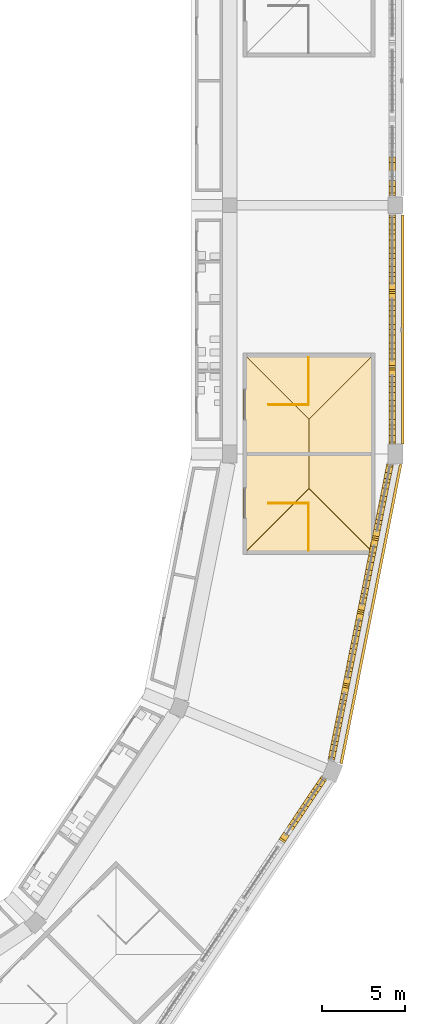
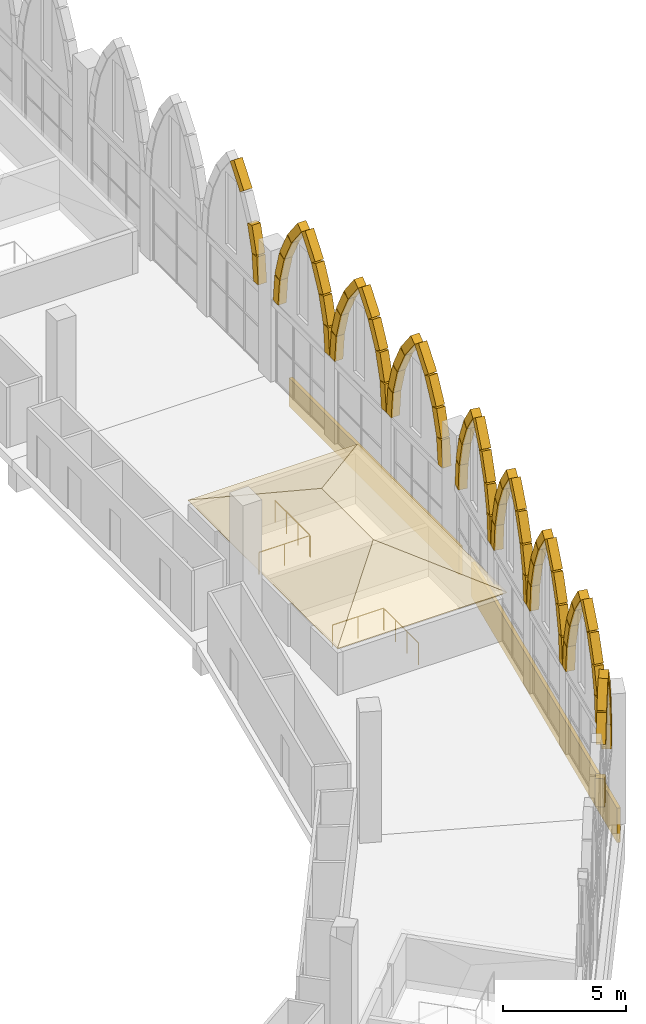
# One storey, part 112 of 130: 72 coverings, 4 railings.
"""IFC4 building model written with IfcOpenShell, lengths in metres."""

from ifc_helpers import new_model, si_unit, direction, frame, origin, origin_2d, place, context, subcontext, project, spatial, polyline, rectangle, circle, outline, extrude, material, layer, layer_set, material_profile, profile_set, type_object, element, save


model = new_model("IFC4")

# Units and contexts
model_context = context("Model", 3, precision=1e-05, world=origin(), true_north=direction((0.0, 1.0)))
body_context = subcontext(model_context, "Body", "Model", "MODEL_VIEW")
ifc_project = project(units=[si_unit("LENGTHUNIT", "METRE"), si_unit("AREAUNIT", "SQUARE_METRE"), si_unit("VOLUMEUNIT", "CUBIC_METRE"), si_unit("PLANEANGLEUNIT", "RADIAN"), si_unit("MASSUNIT", "GRAM", prefix="KILO")], contexts=[model_context])

# Site, building, storey
site_placement = place(None, origin())
site = spatial("IfcSite", under=ifc_project, at=site_placement, CompositionType="ELEMENT")
building_placement = place(site_placement, origin())
building = spatial("IfcBuilding", under=site, at=building_placement, Name="Ogive Plaza Stadium", CompositionType="ELEMENT")
storey_placement = place(building_placement, frame((0.0, 0.0, 22.5)))
storey = spatial("IfcBuildingStorey", under=building, at=storey_placement, Name="L05", CompositionType="ELEMENT", Elevation=22.5)

# Railings
ifc_material_1 = material(Name="Steel ASTM A572 Grade 50", Category="steel")
railing_type = type_object("IfcRailingType", Name="Guard 1100", PredefinedType="GUARDRAIL", material=ifc_material_1)
railing_1_placement = place(storey_placement, frame((76.35009765625, -55.47509765625, 0.0)))
element("IfcRailing", 1, at=railing_1_placement, inside=storey, type_object=railing_type, Name="Stair well guard ST08A L05", PredefinedType="GUARDRAIL", context=body_context, shape_type="SweptSolid", body=[
    extrude(circle(Radius=0.02392578125, at=origin_2d()), frame((0.0, 0.0, 1.076171875), z_axis=(1.0, 0.0, 0.0), x_axis=(0.0, 1.0, 0.0)), (0.0, 0.0, 1.0), 2.39990234375),
    extrude(circle(Radius=0.02099609375, at=origin_2d()), origin(), (0.0, 0.0, 1.0), 1.052001953125),
    extrude(circle(Radius=0.02099609375, at=origin_2d()), frame((1.199951171875, 0.0, 0.0)), (0.0, 0.0, 1.0), 1.052001953125),
    extrude(circle(Radius=0.02099609375, at=origin_2d()), frame((2.39990234375, 0.0, 0.0)), (0.0, 0.0, 1.0), 1.052001953125),
])
railing_2_placement = place(storey_placement, frame((78.75, -58.324951171875, 0.0)))
element("IfcRailing", 2, at=railing_2_placement, inside=storey, type_object=railing_type, Name="Stair guard ST08A L05", PredefinedType="GUARDRAIL", context=body_context, shape_type="SweptSolid", body=[
    extrude(circle(Radius=0.02392578125, at=origin_2d()), frame((0.0, 0.0, 1.076171875), z_axis=(0.0, 1.0, 0.0), x_axis=(-1.0, 0.0, 0.0)), (0.0, 0.0, 1.0), 2.800048828125),
    extrude(circle(Radius=0.02099609375, at=origin_2d()), origin(), (0.0, 0.0, 1.0), 1.052001953125),
    extrude(circle(Radius=0.02099609375, at=origin_2d()), frame((0.0, 0.933349609375, 0.0)), (0.0, 0.0, 1.0), 1.052001953125),
    extrude(circle(Radius=0.02099609375, at=origin_2d()), frame((0.0, 1.86669921875, 0.0)), (0.0, 0.0, 1.0), 1.052001953125),
    extrude(circle(Radius=0.02099609375, at=origin_2d()), frame((0.0, 2.800048828125, 0.0)), (0.0, 0.0, 1.0), 1.052001953125),
])
railing_3_placement = place(storey_placement, frame((76.35009765625, -49.52490234375, 0.0)))
element("IfcRailing", 3, at=railing_3_placement, inside=storey, type_object=railing_type, Name="Stair well guard ST08B L05", PredefinedType="GUARDRAIL", context=body_context, shape_type="SweptSolid", body=[
    extrude(circle(Radius=0.02392578125, at=origin_2d()), frame((0.0, 0.0, 1.076171875), z_axis=(1.0, 0.0, 0.0), x_axis=(0.0, 1.0, 0.0)), (0.0, 0.0, 1.0), 2.39990234375),
    extrude(circle(Radius=0.02099609375, at=origin_2d()), origin(), (0.0, 0.0, 1.0), 1.052001953125),
    extrude(circle(Radius=0.02099609375, at=origin_2d()), frame((1.199951171875, 0.0, 0.0)), (0.0, 0.0, 1.0), 1.052001953125),
    extrude(circle(Radius=0.02099609375, at=origin_2d()), frame((2.39990234375, 0.0, 0.0)), (0.0, 0.0, 1.0), 1.052001953125),
])
railing_4_placement = place(storey_placement, frame((78.75, -49.47509765625, 0.0)))
element("IfcRailing", 4, at=railing_4_placement, inside=storey, type_object=railing_type, Name="Stair guard ST08B L05", PredefinedType="GUARDRAIL", context=body_context, shape_type="SweptSolid", body=[
    extrude(circle(Radius=0.02392578125, at=origin_2d()), frame((0.0, 0.0, 1.076171875), z_axis=(0.0, 1.0, 0.0), x_axis=(-1.0, 0.0, 0.0)), (0.0, 0.0, 1.0), 2.800048828125),
    extrude(circle(Radius=0.02099609375, at=origin_2d()), origin(), (0.0, 0.0, 1.0), 1.052001953125),
    extrude(circle(Radius=0.02099609375, at=origin_2d()), frame((0.0, 0.933349609375, 0.0)), (0.0, 0.0, 1.0), 1.052001953125),
    extrude(circle(Radius=0.02099609375, at=origin_2d()), frame((0.0, 1.86669921875, 0.0)), (0.0, 0.0, 1.0), 1.052001953125),
    extrude(circle(Radius=0.02099609375, at=origin_2d()), frame((0.0, 2.800048828125, 0.0)), (0.0, 0.0, 1.0), 1.052001953125),
])

# Coverings
ifc_material_2 = material(Name="Cast stone (reconstituted limestone)", Category="masonry")
ifc_material_profile = material_profile(ifc_material_2, rectangle(XDim=0.39990234375, YDim=0.39990234375, at=origin_2d()), Name="Cast stone 400x400")
ifc_profile_set = profile_set([ifc_material_profile], Name="Cast stone (reconstituted limestone)")
covering_type_1 = type_object("IfcCoveringType", Name="Precast arch rib 400x400", PredefinedType="MOLDING", material=ifc_profile_set)
covering_1_placement = place(storey_placement, frame((83.800048828125, -34.758056640625, 9.0224609375), z_axis=(0.0, -0.612799939872, -0.790238086713), x_axis=(1.0, 0.0, 0.0)))
element("IfcCovering", 5, at=covering_1_placement, inside=storey, type_object=covering_type_1, Name="ARCH RIB B06 3.5", PredefinedType="MOLDING", context=body_context, shape_type="SweptSolid", body=[
    extrude(rectangle(XDim=0.39990234375, YDim=0.39990234375, at=origin_2d()), origin(), (0.0, 0.0, 1.0), 1.319580078125),
])
covering_2_placement = place(storey_placement, frame((83.800048828125, -36.19970703125, 6.737060546875), z_axis=(0.0, -0.2789697965, -0.960299876414), x_axis=(1.0, 0.0, 0.0)))
element("IfcCovering", 6, at=covering_2_placement, inside=storey, type_object=covering_type_1, Name="ARCH RIB B06 3.7", PredefinedType="MOLDING", context=body_context, shape_type="SweptSolid", body=[
    extrude(rectangle(XDim=0.39990234375, YDim=0.39990234375, at=origin_2d()), origin(), (0.0, 0.0, 1.0), 1.31982421875),
])
for number, where, z_axis, x_axis, name in (
    (7, (83.800048828125, -36.574951171875, 5.4326171875), (0.0, -0.094171713154, -0.995555969517), (1.0, 0.0, 0.0), "ARCH RIB B06 3.8"),
    (8, (83.800048828125, -38.30078125, 4.118896484375), (0.0, -0.094171713154, 0.995555969517), (1.0, 0.0, 0.0), "ARCH RIB B07 1.1"),
):
    element("IfcCovering", number, at=place(storey_placement, frame(where, z_axis=z_axis, x_axis=x_axis)), inside=storey, type_object=covering_type_1, Name=name, PredefinedType="MOLDING", context=body_context, shape_type="SweptSolid", body=[
        extrude(rectangle(XDim=0.39990234375, YDim=0.39990234375, at=origin_2d()), origin(), (0.0, 0.0, 1.0), 1.319580078125),
    ])
for number, where, z_axis, x_axis, name in (
    (9, (83.800048828125, -38.43212890625, 5.4697265625), (0.0, -0.2789697965, 0.960299876414), (1.0, 0.0, 0.0), "ARCH RIB B07 1.2"),
    (10, (83.800048828125, -38.81396484375, 6.77197265625), (0.0, -0.453934094395, 0.891035261898), (1.0, 0.0, 0.0), "ARCH RIB B07 1.3"),
):
    element("IfcCovering", number, at=place(storey_placement, frame(where, z_axis=z_axis, x_axis=x_axis)), inside=storey, type_object=covering_type_1, Name=name, PredefinedType="MOLDING", context=body_context, shape_type="SweptSolid", body=[
        extrude(rectangle(XDim=0.39990234375, YDim=0.39990234375, at=origin_2d()), origin(), (0.0, 0.0, 1.0), 1.31982421875),
    ])
for number, where, z_axis, x_axis, name in (
    (11, (83.800048828125, -39.433349609375, 7.979736328125), (0.0, -0.612799939872, 0.790238086713), (1.0, 0.0, 0.0), "ARCH RIB B07 1.4"),
    (12, (83.800048828125, -40.55810546875, 9.0224609375), (0.0, -0.612799939872, -0.790238086713), (1.0, 0.0, 0.0), "ARCH RIB B07 1.5"),
):
    element("IfcCovering", number, at=place(storey_placement, frame(where, z_axis=z_axis, x_axis=x_axis)), inside=storey, type_object=covering_type_1, Name=name, PredefinedType="MOLDING", context=body_context, shape_type="SweptSolid", body=[
        extrude(rectangle(XDim=0.39990234375, YDim=0.39990234375, at=origin_2d()), origin(), (0.0, 0.0, 1.0), 1.319580078125),
    ])
for number, where, z_axis, x_axis, name in (
    (13, (83.800048828125, -41.386962890625, 7.947998046875), (0.0, -0.453787214374, -0.891110074048), (1.0, 0.0, 0.0), "ARCH RIB B07 1.6"),
    (14, (83.800048828125, -41.999755859375, 6.737060546875), (0.0, -0.2789697965, -0.960299876414), (1.0, 0.0, 0.0), "ARCH RIB B07 1.7"),
):
    element("IfcCovering", number, at=place(storey_placement, frame(where, z_axis=z_axis, x_axis=x_axis)), inside=storey, type_object=covering_type_1, Name=name, PredefinedType="MOLDING", context=body_context, shape_type="SweptSolid", body=[
        extrude(rectangle(XDim=0.39990234375, YDim=0.39990234375, at=origin_2d()), origin(), (0.0, 0.0, 1.0), 1.31982421875),
    ])
for number, where, z_axis, x_axis, name in (
    (15, (83.800048828125, -42.375, 5.4326171875), (0.0, -0.093988335931, -0.995573298511), (1.0, 0.0, 0.0), "ARCH RIB B07 1.8"),
    (16, (83.800048828125, -42.90087890625, 4.118896484375), (0.0, -0.094171713154, 0.995555969517), (1.0, 0.0, 0.0), "ARCH RIB B07 2.1"),
    (17, (83.800048828125, -43.0322265625, 5.4697265625), (0.0, -0.278799187003, 0.960349422516), (1.0, 0.0, 0.0), "ARCH RIB B07 2.2"),
):
    element("IfcCovering", number, at=place(storey_placement, frame(where, z_axis=z_axis, x_axis=x_axis)), inside=storey, type_object=covering_type_1, Name=name, PredefinedType="MOLDING", context=body_context, shape_type="SweptSolid", body=[
        extrude(rectangle(XDim=0.39990234375, YDim=0.39990234375, at=origin_2d()), origin(), (0.0, 0.0, 1.0), 1.319580078125),
    ])
covering_3_placement = place(storey_placement, frame((83.800048828125, -43.4140625, 6.77197265625), z_axis=(0.0, -0.453934094395, 0.891035261898), x_axis=(1.0, 0.0, 0.0)))
element("IfcCovering", 18, at=covering_3_placement, inside=storey, type_object=covering_type_1, Name="ARCH RIB B07 2.3", PredefinedType="MOLDING", context=body_context, shape_type="SweptSolid", body=[
    extrude(rectangle(XDim=0.39990234375, YDim=0.39990234375, at=origin_2d()), origin(), (0.0, 0.0, 1.0), 1.31982421875),
])
for number, where, z_axis, x_axis, name in (
    (19, (83.800048828125, -44.033203125, 7.979736328125), (0.0, -0.612915463399, 0.790148489036), (1.0, 0.0, 0.0), "ARCH RIB B07 2.4"),
    (20, (83.800048828125, -45.157958984375, 9.0224609375), (0.0, -0.612915463399, -0.790148489036), (1.0, 0.0, 0.0), "ARCH RIB B07 2.5"),
):
    element("IfcCovering", number, at=place(storey_placement, frame(where, z_axis=z_axis, x_axis=x_axis)), inside=storey, type_object=covering_type_1, Name=name, PredefinedType="MOLDING", context=body_context, shape_type="SweptSolid", body=[
        extrude(rectangle(XDim=0.39990234375, YDim=0.39990234375, at=origin_2d()), origin(), (0.0, 0.0, 1.0), 1.319580078125),
    ])
covering_4_placement = place(storey_placement, frame((83.800048828125, -45.98681640625, 7.947998046875), z_axis=(0.0, -0.453934094395, -0.891035261898), x_axis=(1.0, 0.0, 0.0)))
element("IfcCovering", 21, at=covering_4_placement, inside=storey, type_object=covering_type_1, Name="ARCH RIB B07 2.6", PredefinedType="MOLDING", context=body_context, shape_type="SweptSolid", body=[
    extrude(rectangle(XDim=0.39990234375, YDim=0.39990234375, at=origin_2d()), origin(), (0.0, 0.0, 1.0), 1.31982421875),
])
for number, where, z_axis, x_axis, name in (
    (22, (83.800048828125, -46.599853515625, 6.737060546875), (0.0, -0.278799187003, -0.960349422516), (1.0, 0.0, 0.0), "ARCH RIB B07 2.7"),
    (23, (83.800048828125, -46.974853515625, 5.4326171875), (0.0, -0.094171713154, -0.995555969517), (1.0, 0.0, 0.0), "ARCH RIB B07 2.8"),
    (24, (83.800048828125, -47.5009765625, 4.118896484375), (0.0, -0.093988335931, 0.995573298511), (1.0, 0.0, 0.0), "ARCH RIB B07 3.1"),
):
    element("IfcCovering", number, at=place(storey_placement, frame(where, z_axis=z_axis, x_axis=x_axis)), inside=storey, type_object=covering_type_1, Name=name, PredefinedType="MOLDING", context=body_context, shape_type="SweptSolid", body=[
        extrude(rectangle(XDim=0.39990234375, YDim=0.39990234375, at=origin_2d()), origin(), (0.0, 0.0, 1.0), 1.319580078125),
    ])
for number, where, z_axis, x_axis, name in (
    (25, (83.800048828125, -47.632080078125, 5.4697265625), (0.0, -0.2789697965, 0.960299876414), (1.0, 0.0, 0.0), "ARCH RIB B07 3.2"),
    (26, (83.800048828125, -48.01416015625, 6.77197265625), (0.0, -0.453787214374, 0.891110074048), (1.0, 0.0, 0.0), "ARCH RIB B07 3.3"),
):
    element("IfcCovering", number, at=place(storey_placement, frame(where, z_axis=z_axis, x_axis=x_axis)), inside=storey, type_object=covering_type_1, Name=name, PredefinedType="MOLDING", context=body_context, shape_type="SweptSolid", body=[
        extrude(rectangle(XDim=0.39990234375, YDim=0.39990234375, at=origin_2d()), origin(), (0.0, 0.0, 1.0), 1.31982421875),
    ])
for number, where, z_axis, x_axis, name in (
    (27, (83.800048828125, -48.63330078125, 7.979736328125), (0.0, -0.612799939872, 0.790238086713), (1.0, 0.0, 0.0), "ARCH RIB B07 3.4"),
    (28, (83.800048828125, -49.758056640625, 9.0224609375), (0.0, -0.612799939872, -0.790238086713), (1.0, 0.0, 0.0), "ARCH RIB B07 3.5"),
):
    element("IfcCovering", number, at=place(storey_placement, frame(where, z_axis=z_axis, x_axis=x_axis)), inside=storey, type_object=covering_type_1, Name=name, PredefinedType="MOLDING", context=body_context, shape_type="SweptSolid", body=[
        extrude(rectangle(XDim=0.39990234375, YDim=0.39990234375, at=origin_2d()), origin(), (0.0, 0.0, 1.0), 1.319580078125),
    ])
for number, where, z_axis, x_axis, name in (
    (29, (83.800048828125, -50.5869140625, 7.947998046875), (0.0, -0.453934094395, -0.891035261898), (1.0, 0.0, 0.0), "ARCH RIB B07 3.6"),
    (30, (83.800048828125, -51.19970703125, 6.737060546875), (0.0, -0.2789697965, -0.960299876414), (1.0, 0.0, 0.0), "ARCH RIB B07 3.7"),
):
    element("IfcCovering", number, at=place(storey_placement, frame(where, z_axis=z_axis, x_axis=x_axis)), inside=storey, type_object=covering_type_1, Name=name, PredefinedType="MOLDING", context=body_context, shape_type="SweptSolid", body=[
        extrude(rectangle(XDim=0.39990234375, YDim=0.39990234375, at=origin_2d()), origin(), (0.0, 0.0, 1.0), 1.31982421875),
    ])
covering_5_placement = place(storey_placement, frame((83.800048828125, -51.574951171875, 5.4326171875), z_axis=(0.0, -0.094171713154, -0.995555969517), x_axis=(1.0, 0.0, 0.0)))
element("IfcCovering", 31, at=covering_5_placement, inside=storey, type_object=covering_type_1, Name="ARCH RIB B07 3.8", PredefinedType="MOLDING", context=body_context, shape_type="SweptSolid", body=[
    extrude(rectangle(XDim=0.39990234375, YDim=0.39990234375, at=origin_2d()), origin(), (0.0, 0.0, 1.0), 1.319580078125),
])
covering_6_placement = place(storey_placement, frame((83.6298828125, -53.3359375, 4.118408203125), z_axis=(-0.018184766268, -0.090738272501, 0.995708732602), x_axis=(0.980503479891, -0.196501719896, 0.0)))
element("IfcCovering", 32, at=covering_6_placement, inside=storey, type_object=covering_type_1, Name="ARCH RIB B08 1.1", PredefinedType="MOLDING", context=body_context, shape_type="SweptSolid", body=[
    extrude(rectangle(XDim=0.39990234375, YDim=0.39990234375, at=origin_2d()), origin(), (0.0, 0.0, 1.0), 1.315673828125),
])
covering_7_placement = place(storey_placement, frame((83.604736328125, -53.462158203125, 5.46484375), z_axis=(-0.053639341274, -0.269124722653, 0.961610474529), x_axis=(0.980710527742, -0.19546575346, 0.0)))
element("IfcCovering", 33, at=covering_7_placement, inside=storey, type_object=covering_type_1, Name="ARCH RIB B08 1.2", PredefinedType="MOLDING", context=body_context, shape_type="SweptSolid", body=[
    extrude(rectangle(XDim=0.39990234375, YDim=0.39990234375, at=origin_2d()), origin(), (0.0, 0.0, 1.0), 1.3154296875),
])
covering_8_placement = place(storey_placement, frame((83.53173828125, -53.829345703125, 6.764404296875), z_axis=(-0.087221081948, -0.438517907749, 0.894480031888), x_axis=(0.980787656855, -0.195078374406, 0.0)))
element("IfcCovering", 34, at=covering_8_placement, inside=storey, type_object=covering_type_1, Name="ARCH RIB B08 1.3", PredefinedType="MOLDING", context=body_context, shape_type="SweptSolid", body=[
    extrude(rectangle(XDim=0.39990234375, YDim=0.39990234375, at=origin_2d()), origin(), (0.0, 0.0, 1.0), 1.315673828125),
])
for number, where, z_axis, x_axis, name in (
    (35, (83.4130859375, -54.42529296875, 7.97265625), (-0.117846036075, -0.592756282244, 0.796713437593), (0.980804436306, -0.194993994068, 0.0), "ARCH RIB B08 1.4"),
    (36, (83.19580078125, -55.517578125, 9.020751953125), (-0.117858999987, -0.592635884975, -0.796801081803), (0.980792755139, -0.195052740217, 0.0), "ARCH RIB B08 1.5"),
    (37, (83.036865234375, -56.31640625, 7.941162109375), (-0.087228179253, -0.438367998716, -0.894552817024), (0.980771851845, -0.1951578198, 0.0), "ARCH RIB B08 1.6"),
    (38, (82.919677734375, -56.90625, 6.729736328125), (-0.053636661243, -0.269296870115, -0.961562428715), (0.980736343344, -0.195336184167, 0.0), "ARCH RIB B08 1.7"),
):
    element("IfcCovering", number, at=place(storey_placement, frame(where, z_axis=z_axis, x_axis=x_axis)), inside=storey, type_object=covering_type_1, Name=name, PredefinedType="MOLDING", context=body_context, shape_type="SweptSolid", body=[
        extrude(rectangle(XDim=0.39990234375, YDim=0.39990234375, at=origin_2d()), origin(), (0.0, 0.0, 1.0), 1.3154296875),
    ])
for number, where, z_axis, x_axis, name in (
    (39, (82.847900390625, -57.26708984375, 5.428466796875), (-0.018184766268, -0.090738272501, -0.995708732602), (0.980503479891, -0.196501719896, 0.0), "ARCH RIB B08 1.8"),
    (40, (82.74560546875, -57.780517578125, 4.118408203125), (-0.017999267855, -0.090738577123, 0.99571207534), (0.980888062615, -0.194572887676, 0.0), "ARCH RIB B08 2.1"),
):
    element("IfcCovering", number, at=place(storey_placement, frame(where, z_axis=z_axis, x_axis=x_axis)), inside=storey, type_object=covering_type_1, Name=name, PredefinedType="MOLDING", context=body_context, shape_type="SweptSolid", body=[
        extrude(rectangle(XDim=0.39990234375, YDim=0.39990234375, at=origin_2d()), origin(), (0.0, 0.0, 1.0), 1.315673828125),
    ])
covering_9_placement = place(storey_placement, frame((82.720703125, -57.90673828125, 5.46484375), z_axis=(-0.053639341274, -0.269124722653, 0.961610474529), x_axis=(0.980710527742, -0.19546575346, 0.0)))
element("IfcCovering", 41, at=covering_9_placement, inside=storey, type_object=covering_type_1, Name="ARCH RIB B08 2.2", PredefinedType="MOLDING", context=body_context, shape_type="SweptSolid", body=[
    extrude(rectangle(XDim=0.39990234375, YDim=0.39990234375, at=origin_2d()), origin(), (0.0, 0.0, 1.0), 1.3154296875),
])
covering_10_placement = place(storey_placement, frame((82.6474609375, -58.27392578125, 6.764404296875), z_axis=(-0.087036912488, -0.438524998312, 0.894494495075), x_axis=(0.980866995691, -0.194679060931, 0.0)))
element("IfcCovering", 42, at=covering_10_placement, inside=storey, type_object=covering_type_1, Name="ARCH RIB B08 2.3", PredefinedType="MOLDING", context=body_context, shape_type="SweptSolid", body=[
    extrude(rectangle(XDim=0.39990234375, YDim=0.39990234375, at=origin_2d()), origin(), (0.0, 0.0, 1.0), 1.315673828125),
])
for number, where, z_axis, x_axis, name in (
    (43, (82.529052734375, -58.869873046875, 7.97265625), (-0.117858999987, -0.592635884975, 0.796801081803), (0.980792755139, -0.195052740217, 0.0), "ARCH RIB B08 2.4"),
    (44, (82.311767578125, -59.962158203125, 9.020751953125), (-0.117858999987, -0.592635884975, -0.796801081803), (0.980792755139, -0.195052740217, 0.0), "ARCH RIB B08 2.5"),
    (45, (82.15283203125, -60.760986328125, 7.941162109375), (-0.087228179253, -0.438367998716, -0.894552817024), (0.980771851845, -0.1951578198, 0.0), "ARCH RIB B08 2.6"),
    (46, (82.03564453125, -61.350830078125, 6.729736328125), (-0.053636661243, -0.269296870115, -0.961562428715), (0.980736343344, -0.195336184167, 0.0), "ARCH RIB B08 2.7"),
):
    element("IfcCovering", number, at=place(storey_placement, frame(where, z_axis=z_axis, x_axis=x_axis)), inside=storey, type_object=covering_type_1, Name=name, PredefinedType="MOLDING", context=body_context, shape_type="SweptSolid", body=[
        extrude(rectangle(XDim=0.39990234375, YDim=0.39990234375, at=origin_2d()), origin(), (0.0, 0.0, 1.0), 1.3154296875),
    ])
for number, where, z_axis, x_axis, name in (
    (47, (81.9638671875, -61.711669921875, 5.428466796875), (-0.018184766268, -0.090738272501, -0.995708732602), (0.980503479891, -0.196501719896, 0.0), "ARCH RIB B08 2.8"),
    (48, (81.861572265625, -62.22509765625, 4.118408203125), (-0.017999267855, -0.090738577123, 0.99571207534), (0.980888062615, -0.194572887676, 0.0), "ARCH RIB B08 3.1"),
):
    element("IfcCovering", number, at=place(storey_placement, frame(where, z_axis=z_axis, x_axis=x_axis)), inside=storey, type_object=covering_type_1, Name=name, PredefinedType="MOLDING", context=body_context, shape_type="SweptSolid", body=[
        extrude(rectangle(XDim=0.39990234375, YDim=0.39990234375, at=origin_2d()), origin(), (0.0, 0.0, 1.0), 1.315673828125),
    ])
for number, where, z_axis, x_axis, name in (
    (49, (81.836669921875, -62.35107421875, 5.46484375), (-0.053636661243, -0.269296870115, 0.961562428715), (0.980736343344, -0.195336184167, 0.0), "ARCH RIB B08 3.2"),
    (50, (81.763427734375, -62.718505859375, 6.764404296875), (-0.087228179253, -0.438367998716, 0.894552817024), (0.980771851845, -0.1951578198, 0.0), "ARCH RIB B08 3.3"),
    (51, (81.64501953125, -63.314453125, 7.97265625), (-0.117858999987, -0.592635884975, 0.796801081803), (0.980792755139, -0.195052740217, 0.0), "ARCH RIB B08 3.4"),
    (52, (81.427734375, -64.40673828125, 9.020751953125), (-0.117858999987, -0.592635884975, -0.796801081803), (0.980792755139, -0.195052740217, 0.0), "ARCH RIB B08 3.5"),
):
    element("IfcCovering", number, at=place(storey_placement, frame(where, z_axis=z_axis, x_axis=x_axis)), inside=storey, type_object=covering_type_1, Name=name, PredefinedType="MOLDING", context=body_context, shape_type="SweptSolid", body=[
        extrude(rectangle(XDim=0.39990234375, YDim=0.39990234375, at=origin_2d()), origin(), (0.0, 0.0, 1.0), 1.3154296875),
    ])
covering_11_placement = place(storey_placement, frame((81.268798828125, -65.205322265625, 7.941162109375), z_axis=(-0.087221081948, -0.438517907749, -0.894480031888), x_axis=(0.980787656855, -0.195078374406, 0.0)))
element("IfcCovering", 53, at=covering_11_placement, inside=storey, type_object=covering_type_1, Name="ARCH RIB B08 3.6", PredefinedType="MOLDING", context=body_context, shape_type="SweptSolid", body=[
    extrude(rectangle(XDim=0.39990234375, YDim=0.39990234375, at=origin_2d()), origin(), (0.0, 0.0, 1.0), 1.315673828125),
])
covering_12_placement = place(storey_placement, frame((81.1513671875, -65.79541015625, 6.729736328125), z_axis=(-0.05345426927, -0.269127397366, -0.961620031553), x_axis=(0.980839982587, -0.194815113783, 0.0)))
element("IfcCovering", 54, at=covering_12_placement, inside=storey, type_object=covering_type_1, Name="ARCH RIB B08 3.7", PredefinedType="MOLDING", context=body_context, shape_type="SweptSolid", body=[
    extrude(rectangle(XDim=0.39990234375, YDim=0.39990234375, at=origin_2d()), origin(), (0.0, 0.0, 1.0), 1.3154296875),
])
for number, where, z_axis, x_axis, name in (
    (55, (81.07958984375, -66.15625, 5.428466796875), (-0.017999267855, -0.090738577123, -0.99571207534), (0.980888062615, -0.194572887676, 0.0), "ARCH RIB B08 3.8"),
    (56, (80.9775390625, -66.669677734375, 4.118408203125), (-0.017999267855, -0.090738577123, 0.99571207534), (0.980888062615, -0.194572887676, 0.0), "ARCH RIB B08 4.1"),
):
    element("IfcCovering", number, at=place(storey_placement, frame(where, z_axis=z_axis, x_axis=x_axis)), inside=storey, type_object=covering_type_1, Name=name, PredefinedType="MOLDING", context=body_context, shape_type="SweptSolid", body=[
        extrude(rectangle(XDim=0.39990234375, YDim=0.39990234375, at=origin_2d()), origin(), (0.0, 0.0, 1.0), 1.315673828125),
    ])
for number, where, z_axis, x_axis, name in (
    (57, (80.952392578125, -66.795654296875, 5.46484375), (-0.053451598433, -0.269299546271, 0.961571984307), (0.98086562999, -0.194685941721, 0.0), "ARCH RIB B08 4.2"),
    (58, (80.87939453125, -67.1630859375, 6.764404296875), (-0.087228179253, -0.438367998716, 0.894552817024), (0.980771851845, -0.1951578198, 0.0), "ARCH RIB B08 4.3"),
    (59, (80.760986328125, -67.759033203125, 7.97265625), (-0.118042020515, -0.592622911172, 0.796783638478), (0.98073395066, -0.195348196874, 0.0), "ARCH RIB B08 4.4"),
    (60, (80.543701171875, -68.85107421875, 9.020751953125), (-0.117846036075, -0.592756282244, -0.796713437593), (0.980804436306, -0.194993994068, 0.0), "ARCH RIB B08 4.5"),
):
    element("IfcCovering", number, at=place(storey_placement, frame(where, z_axis=z_axis, x_axis=x_axis)), inside=storey, type_object=covering_type_1, Name=name, PredefinedType="MOLDING", context=body_context, shape_type="SweptSolid", body=[
        extrude(rectangle(XDim=0.39990234375, YDim=0.39990234375, at=origin_2d()), origin(), (0.0, 0.0, 1.0), 1.3154296875),
    ])
covering_13_placement = place(storey_placement, frame((80.384765625, -69.64990234375, 7.941162109375), z_axis=(-0.087221081948, -0.438517907749, -0.894480031888), x_axis=(0.980787656855, -0.195078374406, 0.0)))
element("IfcCovering", 61, at=covering_13_placement, inside=storey, type_object=covering_type_1, Name="ARCH RIB B08 4.6", PredefinedType="MOLDING", context=body_context, shape_type="SweptSolid", body=[
    extrude(rectangle(XDim=0.39990234375, YDim=0.39990234375, at=origin_2d()), origin(), (0.0, 0.0, 1.0), 1.315673828125),
])
covering_14_placement = place(storey_placement, frame((80.267333984375, -70.23974609375, 6.729736328125), z_axis=(-0.053451598433, -0.269299546271, -0.961571984307), x_axis=(0.98086562999, -0.194685941721, 0.0)))
element("IfcCovering", 62, at=covering_14_placement, inside=storey, type_object=covering_type_1, Name="ARCH RIB B08 4.7", PredefinedType="MOLDING", context=body_context, shape_type="SweptSolid", body=[
    extrude(rectangle(XDim=0.39990234375, YDim=0.39990234375, at=origin_2d()), origin(), (0.0, 0.0, 1.0), 1.3154296875),
])
covering_15_placement = place(storey_placement, frame((80.195556640625, -70.6005859375, 5.428466796875), z_axis=(-0.017998964492, -0.090922604132, -0.995695293418), x_axis=(0.98096377988, -0.194190789078, 0.0)))
element("IfcCovering", 63, at=covering_15_placement, inside=storey, type_object=covering_type_1, Name="ARCH RIB B08 4.8", PredefinedType="MOLDING", context=body_context, shape_type="SweptSolid", body=[
    extrude(rectangle(XDim=0.39990234375, YDim=0.39990234375, at=origin_2d()), origin(), (0.0, 0.0, 1.0), 1.315673828125),
])
covering_16_placement = place(storey_placement, frame((79.560302734375, -72.222412109375, 4.11865234375), z_axis=(-0.051719720781, -0.0774868935, 0.995650968873), x_axis=(0.831744041741, -0.555159300588, 0.0)))
element("IfcCovering", 64, at=covering_16_placement, inside=storey, type_object=covering_type_1, Name="ARCH RIB B09 1.1", PredefinedType="MOLDING", context=body_context, shape_type="SweptSolid", body=[
    extrude(rectangle(XDim=0.39990234375, YDim=0.39990234375, at=origin_2d()), origin(), (0.0, 0.0, 1.0), 1.31689453125),
])
for number, where, z_axis, x_axis, name in (
    (65, (79.48828125, -72.330322265625, 5.466552734375), (-0.15330384955, -0.229492340681, 0.961161378376), (0.831533260563, -0.555474964851, 0.0), "ARCH RIB B09 1.2"),
    (66, (79.27880859375, -72.64404296875, 6.76708984375), (-0.249869155246, -0.37369155562, 0.893263693718), (0.831288257815, -0.55584155334, 0.0), "ARCH RIB B09 1.3"),
    (67, (78.938720703125, -73.15283203125, 7.97509765625), (-0.337370569381, -0.504943643404, 0.794489154049), (0.831486336441, -0.555545202762, 0.0), "ARCH RIB B09 1.4"),
):
    element("IfcCovering", number, at=place(storey_placement, frame(where, z_axis=z_axis, x_axis=x_axis)), inside=storey, type_object=covering_type_1, Name=name, PredefinedType="MOLDING", context=body_context, shape_type="SweptSolid", body=[
        extrude(rectangle(XDim=0.39990234375, YDim=0.39990234375, at=origin_2d()), origin(), (0.0, 0.0, 1.0), 1.317138671875),
    ])
covering_17_placement = place(storey_placement, frame((78.31787109375, -74.08203125, 9.021484375), z_axis=(-0.337503233104, -0.505050142893, -0.794365105482), x_axis=(0.831439559977, -0.555615206869, 0.0)))
element("IfcCovering", 68, at=covering_17_placement, inside=storey, type_object=covering_type_1, Name="ARCH RIB B09 1.5", PredefinedType="MOLDING", context=body_context, shape_type="SweptSolid", body=[
    extrude(rectangle(XDim=0.39990234375, YDim=0.39990234375, at=origin_2d()), origin(), (0.0, 0.0, 1.0), 1.3173828125),
])
covering_18_placement = place(storey_placement, frame((77.8623046875, -74.763671875, 7.943603515625), z_axis=(-0.249678053229, -0.373868324694, -0.893243161478), x_axis=(0.83160601404, -0.555366039124, 0.0)))
element("IfcCovering", 69, at=covering_18_placement, inside=storey, type_object=covering_type_1, Name="ARCH RIB B09 1.6", PredefinedType="MOLDING", context=body_context, shape_type="SweptSolid", body=[
    extrude(rectangle(XDim=0.39990234375, YDim=0.39990234375, at=origin_2d()), origin(), (0.0, 0.0, 1.0), 1.317138671875),
])
covering_19_placement = place(storey_placement, frame((77.31982421875, -75.57568359375, 5.429931640625), z_axis=(-0.051720462819, -0.077302627224, -0.995665253763), x_axis=(0.831129250627, -0.556079282794, 0.0)))
element("IfcCovering", 70, at=covering_19_placement, inside=storey, type_object=covering_type_1, Name="ARCH RIB B09 1.8", PredefinedType="MOLDING", context=body_context, shape_type="SweptSolid", body=[
    extrude(rectangle(XDim=0.39990234375, YDim=0.39990234375, at=origin_2d()), origin(), (0.0, 0.0, 1.0), 1.31689453125),
])
ifc_material_3 = material(Name="Cast stone (reconstituted limestone)", Category="masonry")
ifc_layer_1 = layer(ifc_material_3, 0.159912109375)
ifc_layer_set_1 = layer_set([ifc_layer_1], Name="Precast spandrel cladding 160")
covering_type_2 = type_object("IfcCoveringType", Name="Precast spandrel cladding 160", PredefinedType="CLADDING", material=ifc_layer_set_1)
covering_20_placement = place(storey_placement, frame((0.0, 0.0, -1.409912109375)))
element("IfcCovering", 71, at=covering_20_placement, inside=storey, type_object=covering_type_2, Name="SPANDREL CLADDING B07 L05", PredefinedType="CLADDING", context=body_context, shape_type="SweptSolid", body=[
    extrude(outline(polyline([(84.35009765625, -38.10009765625), (84.35009765625, -51.89990234375), (84.510009765625, -51.89990234375), (84.510009765625, -38.10009765625), (84.35009765625, -38.10009765625)])), origin(), (0.0, 0.0, 1.0), 1.409912109375),
])
covering_21_placement = place(storey_placement, frame((0.0, 0.0, -1.7099609375)))
element("IfcCovering", 72, at=covering_21_placement, inside=storey, type_object=covering_type_2, Name="SPANDREL CLADDING B08 L05", PredefinedType="CLADDING", context=body_context, shape_type="SweptSolid", body=[
    extrude(outline(polyline([(84.237548828125, -53.10009765625), (80.64306640625, -71.170654296875), (80.800048828125, -71.201904296875), (84.39453125, -53.131103515625), (84.237548828125, -53.10009765625)])), origin(), (0.0, 0.0, 1.0), 1.7099609375),
])
ifc_material_4 = material(Name="Zinc standing seam", Category="metal")
ifc_layer_2 = layer(ifc_material_4, 0.0400390625)
ifc_layer_set_2 = layer_set([ifc_layer_2], Name="Turret roof zinc standing seam 40")
covering_type_3 = type_object("IfcCoveringType", Name="Turret roof zinc standing seam 40", PredefinedType="ROOFING", material=ifc_layer_set_2)
covering_22_placement = place(storey_placement, frame((82.760009765625, -58.574951171875, 2.337158203125), z_axis=(0.372970046205, 0.0, 0.927843383677), x_axis=(0.0, 1.0, 0.0)))
element("IfcCovering", 73, at=covering_22_placement, inside=storey, type_object=covering_type_3, Name="Stair core roof facet R08 1", PredefinedType="ROOFING", context=body_context, shape_type="SweptSolid", body=[
    extrude(outline(polyline([(0.0, 0.0), (12.14990234375, 0.0), (8.169921875, 4.289495984738666), (3.97998046875, 4.289495984738666), (0.0, 0.0)])), origin(), (0.0, 0.0, -1.0), 0.0400390625),
])
covering_23_placement = place(storey_placement, frame((82.760009765625, -46.425048828125, 2.337158203125), z_axis=(0.0, 0.372970046205, 0.927843383677), x_axis=(-1.0, 0.0, 0.0)))
element("IfcCovering", 74, at=covering_23_placement, inside=storey, type_object=covering_type_3, Name="Stair core roof facet R08 2", PredefinedType="ROOFING", context=body_context, shape_type="SweptSolid", body=[
    extrude(outline(polyline([(0.0, 0.0), (7.9599609375, 0.0), (3.97998046875, 4.289495984738666), (0.0, 0.0)])), origin(), (0.0, 0.0, -1.0), 0.0400390625),
])
covering_24_placement = place(storey_placement, frame((74.800048828125, -46.425048828125, 2.337158203125), z_axis=(-0.372970046205, 0.0, 0.927843383677), x_axis=(0.0, -1.0, 0.0)))
element("IfcCovering", 75, at=covering_24_placement, inside=storey, type_object=covering_type_3, Name="Stair core roof facet R08 3", PredefinedType="ROOFING", context=body_context, shape_type="SweptSolid", body=[
    extrude(outline(polyline([(0.0, 0.0), (12.14990234375, 0.0), (8.169921875, 4.289495984738666), (3.97998046875, 4.289495984738666), (0.0, 0.0)])), origin(), (0.0, 0.0, -1.0), 0.0400390625),
])
covering_25_placement = place(storey_placement, frame((74.800048828125, -58.574951171875, 2.337158203125), z_axis=(0.0, -0.372970046205, 0.927843383677), x_axis=(1.0, 0.0, 0.0)))
element("IfcCovering", 76, at=covering_25_placement, inside=storey, type_object=covering_type_3, Name="Stair core roof facet R08 4", PredefinedType="ROOFING", context=body_context, shape_type="SweptSolid", body=[
    extrude(outline(polyline([(0.0, 0.0), (7.9599609375, 0.0), (3.97998046875, 4.289495984738666), (0.0, 0.0)])), origin(), (0.0, 0.0, -1.0), 0.0400390625),
])

save(model, "model.ifc")
